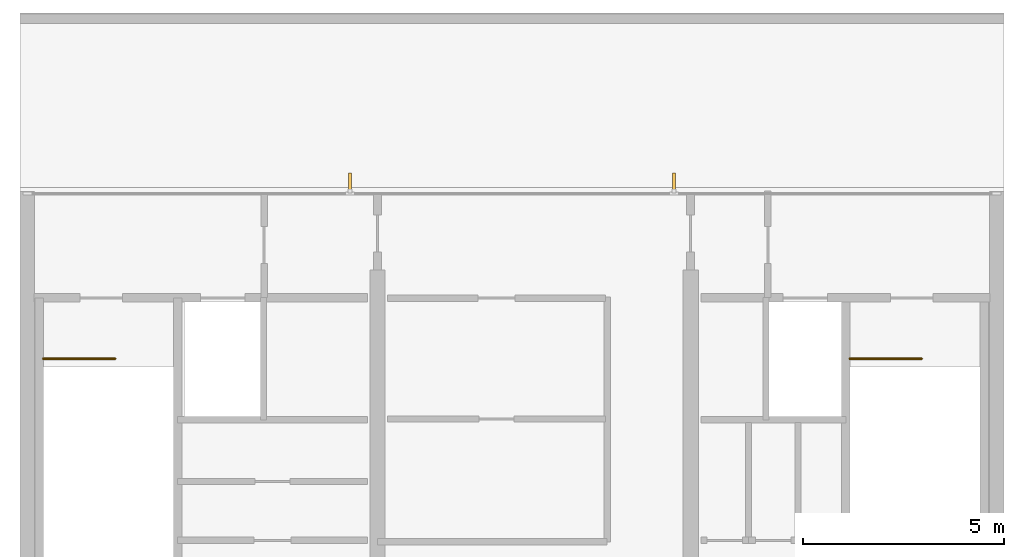
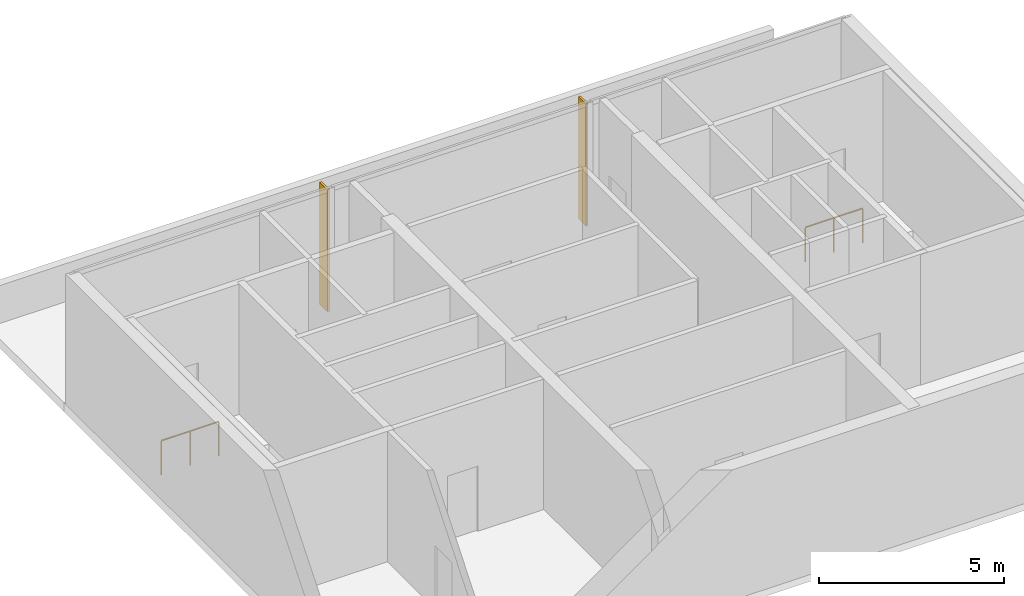
# One storey, part 3 of 3: 2 railings, 2 shading devices.
"""IFC4 building model written with IfcOpenShell, lengths in metres."""

from ifc_helpers import new_model, si_unit, direction, frame, origin, origin_2d, place, context, subcontext, project, spatial, polyline, circle, outline, extrude, material, layer, layer_set, type_object, element, save


model = new_model("IFC4")

# Units and contexts
model_context = context("Model", 3, precision=1e-05, world=origin(), true_north=direction((0.0, 1.0)))
body_context = subcontext(model_context, "Body", "Model", "MODEL_VIEW")
ifc_project = project(units=[si_unit("LENGTHUNIT", "METRE"), si_unit("AREAUNIT", "SQUARE_METRE"), si_unit("VOLUMEUNIT", "CUBIC_METRE"), si_unit("PLANEANGLEUNIT", "RADIAN"), si_unit("MASSUNIT", "GRAM", prefix="KILO")], contexts=[model_context])

# Site, building, storey
site_placement = place(None, origin())
site = spatial("IfcSite", under=ifc_project, at=site_placement, CompositionType="ELEMENT")
building_placement = place(site_placement, origin())
building = spatial("IfcBuilding", under=site, at=building_placement, Name="Qalmaran Belvedere Hotel", CompositionType="ELEMENT")
storey_placement = place(building_placement, frame((0.0, 0.0, 317.10009765625)))
storey = spatial("IfcBuildingStorey", under=building, at=storey_placement, Name="C05", CompositionType="ELEMENT", Elevation=317.10009765625)

# Shading devices
ifc_material_1 = material(Name="Anodised Bronze Aluminium", Category="aluminium")
ifc_layer = layer(ifc_material_1, 0.06494140625, Name="Anodised Bronze Aluminium")
ifc_layer_set = layer_set([ifc_layer], Name="Anodised Bronze Aluminium")
shading_device_type = type_object("IfcShadingDeviceType", Name="FIN-BRNZ-420", PredefinedType="USERDEFINED", material=ifc_layer_set)
shading_device_1_placement = place(storey_placement, frame((0.0, 0.0, 0.159912109375)))
element("IfcShadingDevice", 1, at=shading_device_1_placement, inside=storey, type_object=shading_device_type, Name="C05 Bronze Fin 1", ObjectType="FIN", PredefinedType="USERDEFINED", context=body_context, shape_type="SweptSolid", body=[
    extrude(outline(polyline([(36.61572265625, 20.4423828125), (36.61572265625, 20.862548828125), (36.55078125, 20.862548828125), (36.55078125, 20.4423828125), (36.61572265625, 20.4423828125)])), origin(), (0.0, 0.0, 1.0), 4.02001953125),
])
shading_device_2_placement = place(storey_placement, frame((0.0, 0.0, 0.159912109375)))
element("IfcShadingDevice", 2, at=shading_device_2_placement, inside=storey, type_object=shading_device_type, Name="C05 Bronze Fin 2", ObjectType="FIN", PredefinedType="USERDEFINED", context=body_context, shape_type="SweptSolid", body=[
    extrude(outline(polyline([(28.54931640625, 20.4423828125), (28.54931640625, 20.862548828125), (28.484130859375, 20.862548828125), (28.484130859375, 20.4423828125), (28.54931640625, 20.4423828125)])), origin(), (0.0, 0.0, 1.0), 4.02001953125),
])

# Railings
ifc_material_2 = material(Name="Stainless Steel 1.4401", Category="steel")
railing_type = type_object("IfcRailingType", Name="RLG-STAIR-GUARD-1150", PredefinedType="GUARDRAIL", material=ifc_material_2)
for number, where, name in (
    (3, (20.8798828125, 16.239990234375, 0.0), "C05 ST-1 top well guard 1"),
    (4, (40.9599609375, 16.239990234375, 0.0), "C05 ST-2 top well guard 1"),
):
    element("IfcRailing", number, at=place(storey_placement, frame(where)), inside=storey, type_object=railing_type, Name=name, PredefinedType="GUARDRAIL", context=body_context, shape_type="SweptSolid", body=[
        extrude(circle(Radius=0.02392578125, at=origin_2d()), frame((0.0, 0.0, 1.1259765625), z_axis=(1.0, 0.0, 0.0), x_axis=(0.0, 1.0, 0.0)), (0.0, 0.0, 1.0), 1.7900390625),
        extrude(circle(Radius=0.02099609375, at=origin_2d()), origin(), (0.0, 0.0, 1.0), 1.101806640625),
        extrude(circle(Radius=0.02099609375, at=origin_2d()), frame((0.89501953125, 0.0, 0.0)), (0.0, 0.0, 1.0), 1.101806640625),
        extrude(circle(Radius=0.02099609375, at=origin_2d()), frame((1.7900390625, 0.0, 0.0)), (0.0, 0.0, 1.0), 1.101806640625),
    ])

save(model, "model.ifc")
